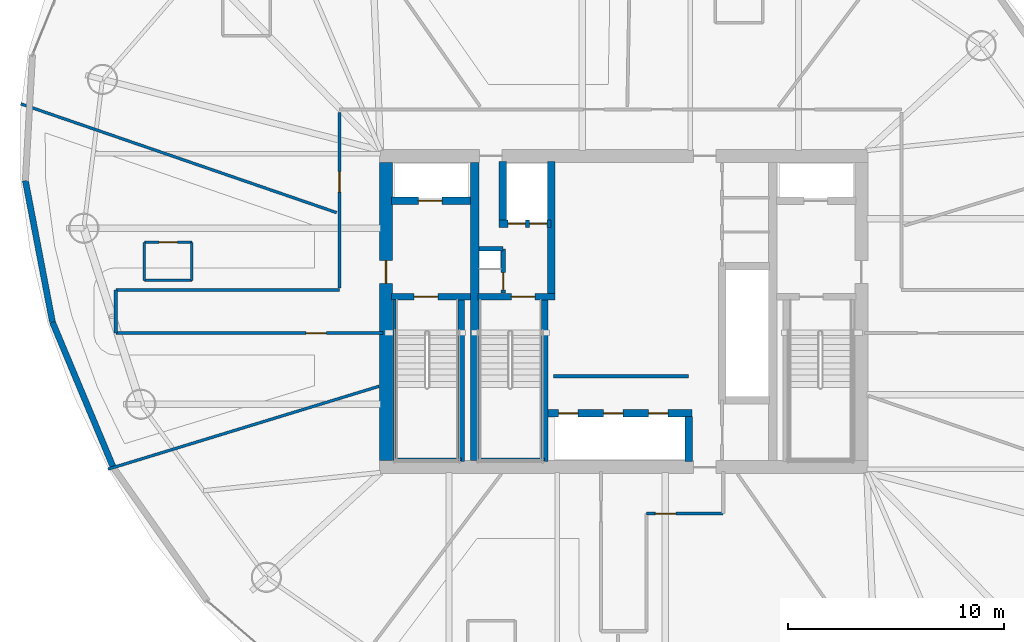
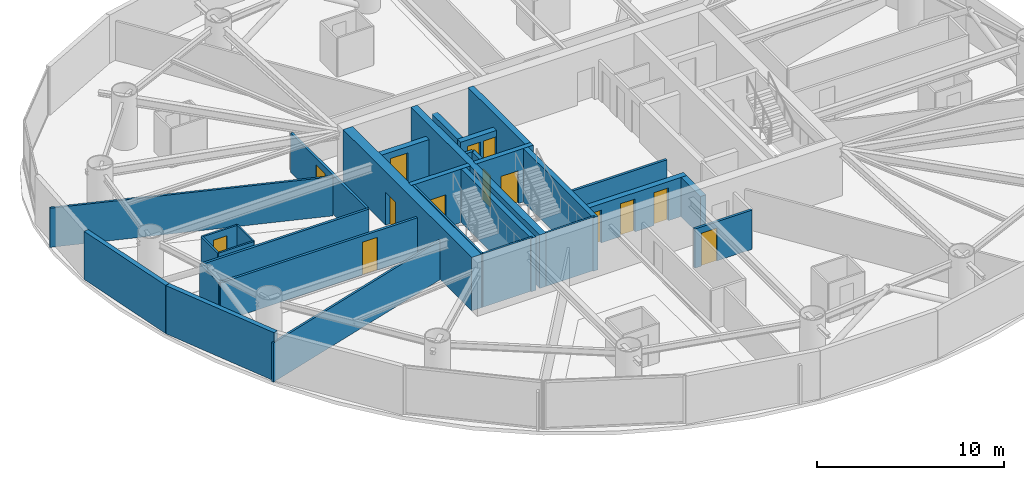
# One storey, part 16 of 21: 31 walls, 14 doors, 14 openings.
"""IFC4 building model written with IfcOpenShell, lengths in metres."""

from ifc_helpers import new_model, si_unit, direction, frame, frame_2d, origin, place, context, subcontext, project, spatial, rectangle, extrude, material, layer, layer_set, type_object, element, fill, save


model = new_model("IFC4")

# Units and contexts
model_context = context("Model", 3, precision=1e-05, world=origin(), true_north=direction((0.0, 1.0)))
body_context = subcontext(model_context, "Body", "Model", "MODEL_VIEW")
ifc_project = project(units=[si_unit("LENGTHUNIT", "METRE"), si_unit("AREAUNIT", "SQUARE_METRE"), si_unit("VOLUMEUNIT", "CUBIC_METRE"), si_unit("PLANEANGLEUNIT", "RADIAN"), si_unit("MASSUNIT", "GRAM", prefix="KILO")], contexts=[model_context])

# Site, building, storey
site_placement = place(None, origin())
site = spatial("IfcSite", under=ifc_project, at=site_placement, CompositionType="ELEMENT")
building_placement = place(site_placement, origin())
building = spatial("IfcBuilding", under=site, at=building_placement, Name="Bramvorn Convention Spire", CompositionType="ELEMENT")
storey_placement = place(building_placement, frame((0.0, 0.0, 162.300048828125)))
storey = spatial("IfcBuildingStorey", under=building, at=storey_placement, Name="L41", CompositionType="ELEMENT", Elevation=162.300048828125)

# Wall, opening, door
ifc_material_1 = material(Name="Concrete C60/70", Category="concrete")
ifc_layer_1 = layer(ifc_material_1, 0.60009765625)
ifc_layer_set_1 = layer_set([ifc_layer_1], Name="Concrete C60/70 - WL-CORE-600")
wall_type_1 = type_object("IfcWallType", Name="WL-CORE-600", PredefinedType="SHEAR", material=ifc_layer_set_1)
wall_1_placement = place(storey_placement, frame((27.0, 19.10009765625, 0.0), z_axis=(0.0, 0.0, 1.0), x_axis=(0.0, 1.0, 0.0)))
wall_1 = element("IfcWall", 1, at=wall_1_placement, inside=storey, type_object=wall_type_1, Name="L41 West RC core shear wall", PredefinedType="SHEAR", context=body_context, shape_type="SweptSolid", body=[
    extrude(rectangle(XDim=13.7998046875, YDim=0.60009765625, at=frame_2d((6.89990234375, 0.0))), origin(), (0.0, 0.0, 1.0), 3.5),
])
opening_1_placement = place(wall_1_placement, frame((8.199951171875, 0.0, 0.0)))
opening_1 = element("IfcOpeningElement", 2, at=opening_1_placement, cuts=wall_1, Name="Opening DL-105", PredefinedType="OPENING", context=body_context, shape_type="SweptSolid", body=[
    extrude(rectangle(XDim=1.050048828125, YDim=2.14990234375, at=frame_2d((0.52490234375, 1.074951171875))), frame((0.0, 0.31005859375, 0.0), z_axis=(0.0, -1.0, 0.0), x_axis=(1.0, 0.0, 0.0)), (0.0, 0.0, 1.0), 0.6201171875),
])
ifc_material_2 = material(Name="Smoke-Sealed Fire Lobby Timber-Core Door", Category="wood")
door_type_1 = type_object("IfcDoorType", Name="DR-LOBBY-1050", OperationType="NOTDEFINED", PredefinedType="DOOR", material=ifc_material_2)
door_1_placement = place(opening_1_placement, origin())
door_1 = element("IfcDoor", 3, at=door_1_placement, inside=storey, type_object=door_type_1, Name="L41 West Firefighting Lobby corridor door", OperationType="SINGLE_SWING_RIGHT", OverallHeight=2.14990234375, OverallWidth=1.050048828125, PredefinedType="DOOR", context=body_context, shape_type="SweptSolid", body=[
    extrude(rectangle(XDim=1.050048828125, YDim=2.14990234375, at=frame_2d((0.52490234375, 1.074951171875))), frame((0.0, 0.02490234375, 0.0), z_axis=(0.0, -1.0, 0.0), x_axis=(1.0, 0.0, 0.0)), (0.0, 0.0, 1.0), 0.050048828125),
])
fill(opening_1, door_1)

ifc_material_3 = material(Name="Concrete C50/60", Category="concrete")
ifc_layer_2 = layer(ifc_material_3, 0.35009765625)
ifc_layer_set_2 = layer_set([ifc_layer_2], Name="Concrete C50/60 - WL-CORE-INT-350")
wall_type_2 = type_object("IfcWallType", Name="WL-CORE-INT-350", PredefinedType="SHEAR", material=ifc_layer_set_2)
wall_2_placement = place(storey_placement, frame((27.25, 31.1201171875, 0.0), z_axis=(0.0, 0.0, 1.0), x_axis=(1.0, 0.0, 0.0)))
wall_2 = element("IfcWall", 4, at=wall_2_placement, inside=storey, type_object=wall_type_2, Name="L41 FE1 shaft front wall", PredefinedType="SHEAR", context=body_context, shape_type="SweptSolid", body=[
    extrude(rectangle(XDim=3.669921875, YDim=0.35009765625, at=frame_2d((1.8349609375, 0.0))), origin(), (0.0, 0.0, 1.0), 2.56494140625),
])
opening_2_placement = place(wall_2_placement, frame((1.25, 0.0, 0.0)))
opening_2 = element("IfcOpeningElement", 5, at=opening_2_placement, cuts=wall_2, Name="Opening LD-110", PredefinedType="OPENING", context=body_context, shape_type="SweptSolid", body=[
    extrude(rectangle(XDim=1.10009765625, YDim=2.14990234375, at=frame_2d((0.550048828125, 1.074951171875))), frame((0.0, 0.18505859375, 0.0), z_axis=(0.0, -1.0, 0.0), x_axis=(1.0, 0.0, 0.0)), (0.0, 0.0, 1.0), 0.3701171875),
])
ifc_material_4 = material(Name="Firefighting & Service Lift Sliding Landing Door", Category="steel")
door_type_2 = type_object("IfcDoorType", Name="DR-LIFT-LD-1100", OperationType="NOTDEFINED", PredefinedType="DOOR", material=ifc_material_4)
door_2_placement = place(opening_2_placement, origin())
door_2 = element("IfcDoor", 6, at=door_2_placement, inside=storey, type_object=door_type_2, Name="L41 Lift FE1 Sliding Landing Door", OperationType="SLIDING_TO_LEFT", OverallHeight=2.14990234375, OverallWidth=1.10009765625, PredefinedType="DOOR", context=body_context, shape_type="SweptSolid", body=[
    extrude(rectangle(XDim=1.10009765625, YDim=2.14990234375, at=frame_2d((0.550048828125, 1.074951171875))), frame((0.0, 0.02490234375, 0.0), z_axis=(0.0, -1.0, 0.0), x_axis=(1.0, 0.0, 0.0)), (0.0, 0.0, 1.0), 0.050048828125),
])
fill(opening_2, door_2)

# Wall
wall_3_placement = place(storey_placement, frame((34.639892578125, 26.68994140625, 0.0), z_axis=(0.0, 0.0, 1.0), x_axis=(0.0, 1.0, 0.0)))
element("IfcWall", 7, at=wall_3_placement, inside=storey, type_object=wall_type_2, Name="L41 SV east core shaft wall", PredefinedType="SHEAR", context=body_context, shape_type="SweptSolid", body=[
    extrude(rectangle(XDim=6.260009765625, YDim=0.35009765625, at=frame_2d((3.1298828125, 0.0))), origin(), (0.0, 0.0, 1.0), 3.5),
])

# Wall, openings, doors
wall_4_placement = place(storey_placement, frame((32.22998046875, 30.050048828125, 0.0), z_axis=(0.0, 0.0, 1.0), x_axis=(1.0, 0.0, 0.0)))
wall_4 = element("IfcWall", 8, at=wall_4_placement, inside=storey, type_object=wall_type_2, Name="L41 SV1/SV2 shaft front wall", PredefinedType="SHEAR", context=body_context, shape_type="SweptSolid", body=[
    extrude(rectangle(XDim=2.409912109375, YDim=0.35009765625, at=frame_2d((1.205078125, 0.0))), origin(), (0.0, 0.0, 1.0), 2.56494140625),
])
opening_3_placement = place(wall_4_placement, frame((0.419921875, 0.0, 0.0)))
opening_3 = element("IfcOpeningElement", 9, at=opening_3_placement, cuts=wall_4, Name="Opening LD-080", PredefinedType="OPENING", context=body_context, shape_type="SweptSolid", body=[
    extrude(rectangle(XDim=0.800048828125, YDim=2.14990234375, at=frame_2d((0.39990234375, 1.074951171875))), frame((0.0, 0.18505859375, 0.0), z_axis=(0.0, -1.0, 0.0), x_axis=(1.0, 0.0, 0.0)), (0.0, 0.0, 1.0), 0.3701171875),
])
opening_4_placement = place(wall_4_placement, frame((1.419921875, 0.0, 0.0)))
opening_4 = element("IfcOpeningElement", 10, at=opening_4_placement, cuts=wall_4, Name="Opening LD-080", PredefinedType="OPENING", context=body_context, shape_type="SweptSolid", body=[
    extrude(rectangle(XDim=0.800048828125, YDim=2.14990234375, at=frame_2d((0.39990234375, 1.074951171875))), frame((0.0, 0.18505859375, 0.0), z_axis=(0.0, -1.0, 0.0), x_axis=(1.0, 0.0, 0.0)), (0.0, 0.0, 1.0), 0.3701171875),
])
ifc_material_5 = material(Name="Service Lift Bi-Parting Landing Door", Category="steel")
door_type_3 = type_object("IfcDoorType", Name="DR-LIFT-LD-800", OperationType="NOTDEFINED", PredefinedType="DOOR", material=ifc_material_5)
door_3_placement = place(opening_3_placement, origin())
door_3 = element("IfcDoor", 11, at=door_3_placement, inside=storey, type_object=door_type_3, Name="L41 Lift SV1 Sliding Landing Door", OperationType="SLIDING_TO_LEFT", OverallHeight=2.14990234375, OverallWidth=0.800048828125, PredefinedType="DOOR", context=body_context, shape_type="SweptSolid", body=[
    extrude(rectangle(XDim=0.800048828125, YDim=2.14990234375, at=frame_2d((0.39990234375, 1.074951171875))), frame((0.0, 0.02490234375, 0.0), z_axis=(0.0, -1.0, 0.0), x_axis=(1.0, 0.0, 0.0)), (0.0, 0.0, 1.0), 0.050048828125),
])
fill(opening_3, door_3)
door_4_placement = place(opening_4_placement, origin())
door_4 = element("IfcDoor", 12, at=door_4_placement, inside=storey, type_object=door_type_3, Name="L41 Lift SV2 Sliding Landing Door", OperationType="SLIDING_TO_LEFT", OverallHeight=2.14990234375, OverallWidth=0.800048828125, PredefinedType="DOOR", context=body_context, shape_type="SweptSolid", body=[
    extrude(rectangle(XDim=0.800048828125, YDim=2.14990234375, at=frame_2d((0.39990234375, 1.074951171875))), frame((0.0, 0.02490234375, 0.0), z_axis=(0.0, -1.0, 0.0), x_axis=(1.0, 0.0, 0.0)), (0.0, 0.0, 1.0), 0.050048828125),
])
fill(opening_4, door_4)

# Wall
wall_5_placement = place(storey_placement, frame((32.39990234375, 30.219970703125, 0.0), z_axis=(0.0, 0.0, 1.0), x_axis=(0.0, 1.0, 0.0)))
element("IfcWall", 13, at=wall_5_placement, inside=storey, type_object=wall_type_2, Name="L41 SV1 west hoistway wall", PredefinedType="SHEAR", context=body_context, shape_type="SweptSolid", body=[
    extrude(rectangle(XDim=2.72998046875, YDim=0.35009765625, at=frame_2d((1.364990234375, 0.0))), origin(), (0.0, 0.0, 1.0), 2.56494140625),
])

# Wall, openings, doors
wall_6_placement = place(storey_placement, frame((34.489990234375, 21.300048828125, 0.0), z_axis=(0.0, 0.0, 1.0), x_axis=(1.0, 0.0, 0.0)))
wall_6 = element("IfcWall", 14, at=wall_6_placement, inside=storey, type_object=wall_type_2, Name="L41 Mid-rise bank north landing wall", PredefinedType="SHEAR", context=body_context, shape_type="SweptSolid", body=[
    extrude(rectangle(XDim=6.679931640625, YDim=0.35009765625, at=frame_2d((3.33984375, 0.0))), origin(), (0.0, 0.0, 1.0), 2.56494140625),
])
opening_5_placement = place(wall_6_placement, frame((0.5, 0.0, 0.0)))
opening_5 = element("IfcOpeningElement", 15, at=opening_5_placement, cuts=wall_6, Name="Opening LD-090", PredefinedType="OPENING", context=body_context, shape_type="SweptSolid", body=[
    extrude(rectangle(XDim=0.89990234375, YDim=2.14990234375, at=frame_2d((0.449951171875, 1.074951171875))), frame((0.0, 0.18505859375, 0.0), z_axis=(0.0, -1.0, 0.0), x_axis=(1.0, 0.0, 0.0)), (0.0, 0.0, 1.0), 0.3701171875),
])
opening_6_placement = place(wall_6_placement, frame((2.580078125, 0.0, 0.0)))
opening_6 = element("IfcOpeningElement", 16, at=opening_6_placement, cuts=wall_6, Name="Opening LD-090", PredefinedType="OPENING", context=body_context, shape_type="SweptSolid", body=[
    extrude(rectangle(XDim=0.89990234375, YDim=2.14990234375, at=frame_2d((0.449951171875, 1.074951171875))), frame((0.0, 0.18505859375, 0.0), z_axis=(0.0, -1.0, 0.0), x_axis=(1.0, 0.0, 0.0)), (0.0, 0.0, 1.0), 0.3701171875),
])
opening_7_placement = place(wall_6_placement, frame((4.659912109375, 0.0, 0.0)))
opening_7 = element("IfcOpeningElement", 17, at=opening_7_placement, cuts=wall_6, Name="Opening LD-090", PredefinedType="OPENING", context=body_context, shape_type="SweptSolid", body=[
    extrude(rectangle(XDim=0.89990234375, YDim=2.14990234375, at=frame_2d((0.449951171875, 1.074951171875))), frame((0.0, 0.18505859375, 0.0), z_axis=(0.0, -1.0, 0.0), x_axis=(1.0, 0.0, 0.0)), (0.0, 0.0, 1.0), 0.3701171875),
])
ifc_material_6 = material(Name="Bi-Parting Fire-Rated Lift Landing Door", Category="steel")
door_type_4 = type_object("IfcDoorType", Name="DR-LIFT-LD-900", OperationType="NOTDEFINED", PredefinedType="DOOR", material=ifc_material_6)
door_5_placement = place(opening_5_placement, origin())
door_5 = element("IfcDoor", 18, at=door_5_placement, inside=storey, type_object=door_type_4, Name="L41 Lift PM1 Sliding Landing Door", OperationType="SLIDING_TO_LEFT", OverallHeight=2.14990234375, OverallWidth=0.89990234375, PredefinedType="DOOR", context=body_context, shape_type="SweptSolid", body=[
    extrude(rectangle(XDim=0.89990234375, YDim=2.14990234375, at=frame_2d((0.449951171875, 1.074951171875))), frame((0.0, 0.02490234375, 0.0), z_axis=(0.0, -1.0, 0.0), x_axis=(1.0, 0.0, 0.0)), (0.0, 0.0, 1.0), 0.050048828125),
])
fill(opening_5, door_5)
door_6_placement = place(opening_6_placement, origin())
door_6 = element("IfcDoor", 19, at=door_6_placement, inside=storey, type_object=door_type_4, Name="L41 Lift PM2 Sliding Landing Door", OperationType="SLIDING_TO_LEFT", OverallHeight=2.14990234375, OverallWidth=0.89990234375, PredefinedType="DOOR", context=body_context, shape_type="SweptSolid", body=[
    extrude(rectangle(XDim=0.89990234375, YDim=2.14990234375, at=frame_2d((0.449951171875, 1.074951171875))), frame((0.0, 0.02490234375, 0.0), z_axis=(0.0, -1.0, 0.0), x_axis=(1.0, 0.0, 0.0)), (0.0, 0.0, 1.0), 0.050048828125),
])
fill(opening_6, door_6)
door_7_placement = place(opening_7_placement, origin())
door_7 = element("IfcDoor", 20, at=door_7_placement, inside=storey, type_object=door_type_4, Name="L41 Lift PM3 Sliding Landing Door", OperationType="SLIDING_TO_LEFT", OverallHeight=2.14990234375, OverallWidth=0.89990234375, PredefinedType="DOOR", context=body_context, shape_type="SweptSolid", body=[
    extrude(rectangle(XDim=0.89990234375, YDim=2.14990234375, at=frame_2d((0.449951171875, 1.074951171875))), frame((0.0, 0.02490234375, 0.0), z_axis=(0.0, -1.0, 0.0), x_axis=(1.0, 0.0, 0.0)), (0.0, 0.0, 1.0), 0.050048828125),
])
fill(opening_7, door_7)

# Walls
wall_7_placement = place(storey_placement, frame((41.0, 19.050048828125, 0.0), z_axis=(0.0, 0.0, 1.0), x_axis=(0.0, 1.0, 0.0)))
element("IfcWall", 21, at=wall_7_placement, inside=storey, type_object=wall_type_2, Name="L41 Mid-rise bank east cheek wall", PredefinedType="SHEAR", context=body_context, shape_type="SweptSolid", body=[
    extrude(rectangle(XDim=2.079833984375, YDim=0.35009765625, at=frame_2d((1.0400390625, 0.0))), origin(), (0.0, 0.0, 1.0), 2.56494140625),
])
ifc_layer_3 = layer(ifc_material_1, 0.39990234375)
ifc_layer_set_3 = layer_set([ifc_layer_3], Name="Concrete C60/70 - WL-CORE-INT-400")
wall_type_3 = type_object("IfcWallType", Name="WL-CORE-INT-400", PredefinedType="SHEAR", material=ifc_layer_set_3)
wall_8_placement = place(storey_placement, frame((31.10009765625, 19.10009765625, 0.0), z_axis=(0.0, 0.0, 1.0), x_axis=(0.0, 1.0, 0.0)))
element("IfcWall", 22, at=wall_8_placement, inside=storey, type_object=wall_type_3, Name="L41 West internal core shear web", PredefinedType="SHEAR", context=body_context, shape_type="SweptSolid", body=[
    extrude(rectangle(XDim=13.7998046875, YDim=0.39990234375, at=frame_2d((6.89990234375, 0.0))), origin(), (0.0, 0.0, 1.0), 3.5),
])
ifc_material_7 = material(Name="Precast Concrete C40/50 with Bronze Terracotta Rainscreen", Category="masonry")
ifc_layer_4 = layer(ifc_material_7, 0.300048828125)
ifc_layer_set_4 = layer_set([ifc_layer_4], Name="Precast Concrete C40/50 with Bronze Terracotta Rainscreen - WL-EXT-BRONZE-300")
wall_type_4 = type_object("IfcWallType", Name="WL-EXT-BRONZE-300", PredefinedType="SOLIDWALL", material=ifc_layer_set_4)
wall_9_placement = place(storey_placement, frame((11.568359375, 25.505615234375, 0.0), z_axis=(0.0, 0.0, 1.0), x_axis=(-0.188022651866, 0.982164692088, 0.0)))
element("IfcWall", 23, at=wall_9_placement, inside=storey, type_object=wall_type_4, Name="L41 expressed bronze Gothic lancet pier wall 15", PredefinedType="SOLIDWALL", context=body_context, shape_type="SweptSolid", body=[
    extrude(rectangle(XDim=6.6650390625, YDim=0.280029296875, at=frame_2d((3.33251953125, 0.0))), origin(), (0.0, 0.0, 1.0), 3.14990234375),
])
wall_10_placement = place(storey_placement, frame((14.385009765625, 18.77978515625, 0.0), z_axis=(0.0, 0.0, 1.0), x_axis=(-0.3862765553, 0.922383013084, 0.0)))
element("IfcWall", 24, at=wall_10_placement, inside=storey, type_object=wall_type_4, Name="L41 expressed bronze Gothic lancet pier wall 16", PredefinedType="SOLIDWALL", context=body_context, shape_type="SweptSolid", body=[
    extrude(rectangle(XDim=7.291748046875, YDim=0.280029296875, at=frame_2d((3.64599609375, 0.0))), origin(), (0.0, 0.0, 1.0), 3.14990234375),
])
ifc_material_8 = material(Name="Lightweight En-Suite & Wet-Wall Partition", Category="gypsum")
ifc_layer_5 = layer(ifc_material_8, 0.110107421875)
ifc_layer_set_5 = layer_set([ifc_layer_5], Name="Lightweight En-Suite & Wet-Wall Partition - WL-PART-110")
wall_type_5 = type_object("IfcWallType", Name="WL-PART-110", PredefinedType="PARTITIONING", material=ifc_layer_set_5)
wall_11_placement = place(storey_placement, frame((15.8203125, 27.43896484375, 0.0), z_axis=(0.0, 0.0, 1.0), x_axis=(1.0, 0.0, 0.0)))
element("IfcWall", 25, at=wall_11_placement, inside=storey, type_object=wall_type_5, Name="Hotel Suite 4105 en-suite south wall", PredefinedType="PARTITIONING", context=body_context, shape_type="SweptSolid", body=[
    extrude(rectangle(XDim=2.199951171875, YDim=0.110107421875, at=frame_2d((1.10009765625, 0.0))), origin(), (0.0, 0.0, 1.0), 2.56494140625),
])

# Wall, opening, door
wall_12_placement = place(storey_placement, frame((15.8203125, 29.198974609375, 0.0), z_axis=(0.0, 0.0, 1.0), x_axis=(1.0, 0.0, 0.0)))
wall_12 = element("IfcWall", 26, at=wall_12_placement, inside=storey, type_object=wall_type_5, Name="Hotel Suite 4105 en-suite north wall", PredefinedType="PARTITIONING", context=body_context, shape_type="SweptSolid", body=[
    extrude(rectangle(XDim=2.199951171875, YDim=0.110107421875, at=frame_2d((1.10009765625, 0.0))), origin(), (0.0, 0.0, 1.0), 2.56494140625),
])
opening_8_placement = place(wall_12_placement, frame((0.679931640625, 0.0, 0.0)))
opening_8 = element("IfcOpeningElement", 27, at=opening_8_placement, cuts=wall_12, Name="Opening DI-085", PredefinedType="OPENING", context=body_context, shape_type="SweptSolid", body=[
    extrude(rectangle(XDim=0.85009765625, YDim=2.10009765625, at=frame_2d((0.425048828125, 1.050048828125))), frame((0.0, 0.06494140625, 0.0), z_axis=(0.0, -1.0, 0.0), x_axis=(1.0, 0.0, 0.0)), (0.0, 0.0, 1.0), 0.130126953125),
])
ifc_material_9 = material(Name="En-Suite & Restroom Privacy Door", Category="wood")
door_type_5 = type_object("IfcDoorType", Name="DR-INT-850", OperationType="NOTDEFINED", PredefinedType="DOOR", material=ifc_material_9)
door_8_placement = place(opening_8_placement, origin())
door_8 = element("IfcDoor", 28, at=door_8_placement, inside=storey, type_object=door_type_5, Name="Hotel Suite 4105 En-Suite Bathroom door", OperationType="SINGLE_SWING_LEFT", OverallHeight=2.10009765625, OverallWidth=0.85009765625, PredefinedType="DOOR", context=body_context, shape_type="SweptSolid", body=[
    extrude(rectangle(XDim=0.85009765625, YDim=2.10009765625, at=frame_2d((0.425048828125, 1.050048828125))), frame((0.0, 0.02490234375, 0.0), z_axis=(0.0, -1.0, 0.0), x_axis=(1.0, 0.0, 0.0)), (0.0, 0.0, 1.0), 0.050048828125),
])
fill(opening_8, door_8)

# Walls
for number, where, z_axis, x_axis, name in (
    (29, (15.8203125, 27.43896484375, 0.0), (0.0, 0.0, 1.0), (0.0, 1.0, 0.0), "Hotel Suite 4105 en-suite west wall"),
    (30, (18.020263671875, 27.43896484375, 0.0), (0.0, 0.0, 1.0), (0.0, 1.0, 0.0), "Hotel Suite 4105 en-suite east wall"),
):
    element("IfcWall", number, at=place(storey_placement, frame(where, z_axis=z_axis, x_axis=x_axis)), inside=storey, type_object=wall_type_5, Name=name, PredefinedType="PARTITIONING", context=body_context, shape_type="SweptSolid", body=[
        extrude(rectangle(XDim=1.760009765625, YDim=0.110107421875, at=frame_2d((0.8798828125, 0.0))), origin(), (0.0, 0.0, 1.0), 2.56494140625),
    ])
ifc_material_10 = material(Name="Metal-Stud Demountable Office Partition", Category="gypsum")
ifc_layer_6 = layer(ifc_material_10, 0.1298828125)
ifc_layer_set_6 = layer_set([ifc_layer_6], Name="Metal-Stud Demountable Office Partition - WL-PART-130")
wall_type_6 = type_object("IfcWallType", Name="WL-PART-130", PredefinedType="PARTITIONING", material=ifc_layer_set_6)
wall_13_placement = place(storey_placement, frame((24.7099609375, 30.576171875, 0.0), z_axis=(0.0, 0.0, 1.0), x_axis=(-0.945518452422, 0.32556851219, 0.0)))
element("IfcWall", 31, at=wall_13_placement, inside=storey, type_object=wall_type_6, Name="L41 Guestroom demising wall 5", PredefinedType="PARTITIONING", context=body_context, shape_type="SweptSolid", body=[
    extrude(rectangle(XDim=15.452880859375, YDim=0.1298828125, at=frame_2d((7.7265625, 0.0))), origin(), (0.0, 0.0, 1.0), 2.56494140625),
])
wall_14_placement = place(storey_placement, frame((26.679931640625, 22.5390625, 0.0), z_axis=(0.0, 0.0, 1.0), x_axis=(-0.95630705824, -0.292364174208, 0.0)))
element("IfcWall", 32, at=wall_14_placement, inside=storey, type_object=wall_type_6, Name="L41 Guestroom demising wall 6", PredefinedType="PARTITIONING", context=body_context, shape_type="SweptSolid", body=[
    extrude(rectangle(XDim=13.1171875, YDim=0.1298828125, at=frame_2d((6.55859375, 0.0))), origin(), (0.0, 0.0, 1.0), 2.56494140625),
])
ifc_material_11 = material(Name="Acoustic Metal-Stud Tenant/Corridor Partition", Category="gypsum")
ifc_layer_7 = layer(ifc_material_11, 0.14990234375)
ifc_layer_set_7 = layer_set([ifc_layer_7], Name="Acoustic Metal-Stud Tenant/Corridor Partition - WL-PART-150")
wall_type_7 = type_object("IfcWallType", Name="WL-PART-150", PredefinedType="PARTITIONING", material=ifc_layer_set_7)
wall_15_placement = place(storey_placement, frame((34.75, 23.0, 0.0), z_axis=(0.0, 0.0, 1.0), x_axis=(1.0, 0.0, 0.0)))
element("IfcWall", 33, at=wall_15_placement, inside=storey, type_object=wall_type_7, Name="L41 Mid-rise lift vestibule north wall", PredefinedType="PARTITIONING", context=body_context, shape_type="SweptSolid", body=[
    extrude(rectangle(XDim=6.25, YDim=0.14990234375, at=frame_2d((3.125, 0.0))), origin(), (0.0, 0.0, 1.0), 2.56494140625),
])

# Wall, opening, door
wall_16_placement = place(storey_placement, frame((24.85009765625, 27.080078125, 0.0), z_axis=(0.0, 0.0, 1.0), x_axis=(0.0, 1.0, 0.0)))
wall_16 = element("IfcWall", 34, at=wall_16_placement, inside=storey, type_object=wall_type_7, Name="L41 NW gallery cheek", PredefinedType="PARTITIONING", context=body_context, shape_type="SweptSolid", body=[
    extrude(rectangle(XDim=8.119873046875, YDim=0.14990234375, at=frame_2d((4.06005859375, 0.0))), origin(), (0.0, 0.0, 1.0), 2.56494140625),
])
opening_9_placement = place(wall_16_placement, frame((4.4423828125, 0.0, 0.0)))
opening_9 = element("IfcOpeningElement", 35, at=opening_9_placement, cuts=wall_16, Name="Opening DH-095", PredefinedType="OPENING", context=body_context, shape_type="SweptSolid", body=[
    extrude(rectangle(XDim=0.949951171875, YDim=2.14990234375, at=frame_2d((0.47509765625, 1.074951171875))), frame((0.0, 0.0849609375, 0.0), z_axis=(0.0, -1.0, 0.0), x_axis=(1.0, 0.0, 0.0)), (0.0, 0.0, 1.0), 0.169921875),
])
ifc_material_12 = material(Name="Solid-Core Acoustic Guestroom Entry Door", Category="wood")
door_type_6 = type_object("IfcDoorType", Name="DR-HOTEL-950", OperationType="NOTDEFINED", PredefinedType="DOOR", material=ifc_material_12)
door_9_placement = place(opening_9_placement, origin())
door_9 = element("IfcDoor", 36, at=door_9_placement, inside=storey, type_object=door_type_6, Name="Hotel Suite 4104 entry door", OperationType="SINGLE_SWING_LEFT", OverallHeight=2.14990234375, OverallWidth=0.949951171875, PredefinedType="DOOR", context=body_context, shape_type="SweptSolid", body=[
    extrude(rectangle(XDim=0.949951171875, YDim=2.14990234375, at=frame_2d((0.47509765625, 1.074951171875))), frame((0.0, 0.02490234375, 0.0), z_axis=(0.0, -1.0, 0.0), x_axis=(1.0, 0.0, 0.0)), (0.0, 0.0, 1.0), 0.050048828125),
])
fill(opening_9, door_9)

# Wall
wall_17_placement = place(storey_placement, frame((14.5, 27.0, 0.0), z_axis=(0.0, 0.0, 1.0), x_axis=(1.0, 0.0, 0.0)))
element("IfcWall", 37, at=wall_17_placement, inside=storey, type_object=wall_type_7, Name="L41 West wing spine north wall", PredefinedType="PARTITIONING", context=body_context, shape_type="SweptSolid", body=[
    extrude(rectangle(XDim=10.35009765625, YDim=0.14990234375, at=frame_2d((5.175048828125, 0.0))), origin(), (0.0, 0.0, 1.0), 2.56494140625),
])

# Wall, opening, door
wall_18_placement = place(storey_placement, frame((14.5, 25.0, 0.0), z_axis=(0.0, 0.0, 1.0), x_axis=(1.0, 0.0, 0.0)))
wall_18 = element("IfcWall", 38, at=wall_18_placement, inside=storey, type_object=wall_type_7, Name="L41 West wing spine south wall", PredefinedType="PARTITIONING", context=body_context, shape_type="SweptSolid", body=[
    extrude(rectangle(XDim=12.35009765625, YDim=0.14990234375, at=frame_2d((6.175048828125, 0.0))), origin(), (0.0, 0.0, 1.0), 2.56494140625),
])
opening_10_placement = place(wall_18_placement, frame((8.78759765625, 0.0, 0.0)))
opening_10 = element("IfcOpeningElement", 39, at=opening_10_placement, cuts=wall_18, Name="Opening DH-095", PredefinedType="OPENING", context=body_context, shape_type="SweptSolid", body=[
    extrude(rectangle(XDim=0.949951171875, YDim=2.14990234375, at=frame_2d((0.47509765625, 1.074951171875))), frame((0.0, 0.0849609375, 0.0), z_axis=(0.0, -1.0, 0.0), x_axis=(1.0, 0.0, 0.0)), (0.0, 0.0, 1.0), 0.169921875),
])
door_10_placement = place(opening_10_placement, origin())
door_10 = element("IfcDoor", 40, at=door_10_placement, inside=storey, type_object=door_type_6, Name="Hotel Suite 4105 entry door", OperationType="SINGLE_SWING_LEFT", OverallHeight=2.14990234375, OverallWidth=0.949951171875, PredefinedType="DOOR", context=body_context, shape_type="SweptSolid", body=[
    extrude(rectangle(XDim=0.949951171875, YDim=2.14990234375, at=frame_2d((0.47509765625, 1.074951171875))), frame((0.0, 0.02490234375, 0.0), z_axis=(0.0, -1.0, 0.0), x_axis=(1.0, 0.0, 0.0)), (0.0, 0.0, 1.0), 0.050048828125),
])
fill(opening_10, door_10)

# Wall
wall_19_placement = place(storey_placement, frame((14.5, 25.0, 0.0), z_axis=(0.0, 0.0, 1.0), x_axis=(0.0, 1.0, 0.0)))
element("IfcWall", 41, at=wall_19_placement, inside=storey, type_object=wall_type_7, Name="L41 West wing spine end wall", PredefinedType="PARTITIONING", context=body_context, shape_type="SweptSolid", body=[
    extrude(rectangle(XDim=2.0, YDim=0.14990234375, at=frame_2d((1.0, 0.0))), origin(), (0.0, 0.0, 1.0), 2.56494140625),
])

# Wall, opening, door
wall_20_placement = place(storey_placement, frame((39.050048828125, 16.64990234375, 0.0), z_axis=(0.0, 0.0, 1.0), x_axis=(1.0, 0.0, 0.0)))
wall_20 = element("IfcWall", 42, at=wall_20_placement, inside=storey, type_object=wall_type_7, Name="L41 South lift lobby link wall", PredefinedType="PARTITIONING", context=body_context, shape_type="SweptSolid", body=[
    extrude(rectangle(XDim=3.550048828125, YDim=0.14990234375, at=frame_2d((1.77490234375, 0.0))), origin(), (0.0, 0.0, 1.0), 2.56494140625),
])
opening_11_placement = place(wall_20_placement, frame((0.41259765625, 0.0, 0.0)))
opening_11 = element("IfcOpeningElement", 43, at=opening_11_placement, cuts=wall_20, Name="Opening DH-095", PredefinedType="OPENING", context=body_context, shape_type="SweptSolid", body=[
    extrude(rectangle(XDim=0.949951171875, YDim=2.14990234375, at=frame_2d((0.47509765625, 1.074951171875))), frame((0.0, 0.0849609375, 0.0), z_axis=(0.0, -1.0, 0.0), x_axis=(1.0, 0.0, 0.0)), (0.0, 0.0, 1.0), 0.169921875),
])
door_11_placement = place(opening_11_placement, origin())
door_11 = element("IfcDoor", 44, at=door_11_placement, inside=storey, type_object=door_type_6, Name="Hotel Suite 4108 entry door", OperationType="SINGLE_SWING_LEFT", OverallHeight=2.14990234375, OverallWidth=0.949951171875, PredefinedType="DOOR", context=body_context, shape_type="SweptSolid", body=[
    extrude(rectangle(XDim=0.949951171875, YDim=2.14990234375, at=frame_2d((0.47509765625, 1.074951171875))), frame((0.0, 0.02490234375, 0.0), z_axis=(0.0, -1.0, 0.0), x_axis=(1.0, 0.0, 0.0)), (0.0, 0.0, 1.0), 0.050048828125),
])
fill(opening_11, door_11)

ifc_material_13 = material(Name="Gypsum Shaftwall & Rockwool Core Partition", Category="gypsum")
ifc_layer_8 = layer(ifc_material_13, 0.199951171875)
ifc_layer_set_8 = layer_set([ifc_layer_8], Name="Gypsum Shaftwall & Rockwool Core Partition - WL-PART-200-FR")
wall_type_8 = type_object("IfcWallType", Name="WL-PART-200-FR", PredefinedType="PARTITIONING", material=ifc_layer_set_8)
wall_21_placement = place(storey_placement, frame((32.419921875, 26.860107421875, 0.0), z_axis=(0.0, 0.0, 1.0), x_axis=(0.0, 1.0, 0.0)))
wall_21 = element("IfcWall", 45, at=wall_21_placement, inside=storey, type_object=wall_type_8, Name="L41 Telecom riser east wall", PredefinedType="PARTITIONING", context=body_context, shape_type="SweptSolid", body=[
    extrude(rectangle(XDim=2.039794921875, YDim=0.199951171875, at=frame_2d((1.02001953125, 0.0))), origin(), (0.0, 0.0, 1.0), 2.56494140625),
])
opening_12_placement = place(wall_21_placement, frame((0.139892578125, 0.0, 0.0)))
opening_12 = element("IfcOpeningElement", 46, at=opening_12_placement, cuts=wall_21, Name="Opening DR-080", PredefinedType="OPENING", context=body_context, shape_type="SweptSolid", body=[
    extrude(rectangle(XDim=0.800048828125, YDim=2.050048828125, at=frame_2d((0.39990234375, 1.02490234375))), frame((0.0, 0.10986328125, 0.0), z_axis=(0.0, -1.0, 0.0), x_axis=(1.0, 0.0, 0.0)), (0.0, 0.0, 1.0), 0.219970703125),
])
ifc_material_14 = material(Name="Flush Steel Riser Access Door", Category="steel")
door_type_7 = type_object("IfcDoorType", Name="DR-RISER-800", OperationType="NOTDEFINED", PredefinedType="DOOR", material=ifc_material_14)
door_12_placement = place(opening_12_placement, origin())
door_12 = element("IfcDoor", 47, at=door_12_placement, inside=storey, type_object=door_type_7, Name="L41 Telecom riser access door", OperationType="SINGLE_SWING_RIGHT", OverallHeight=2.050048828125, OverallWidth=0.800048828125, PredefinedType="DOOR", context=body_context, shape_type="SweptSolid", body=[
    extrude(rectangle(XDim=0.800048828125, YDim=2.050048828125, at=frame_2d((0.39990234375, 1.02490234375))), frame((0.0, 0.02490234375, 0.0), z_axis=(0.0, -1.0, 0.0), x_axis=(1.0, 0.0, 0.0)), (0.0, 0.0, 1.0), 0.050048828125),
])
fill(opening_12, door_12)

# Wall
wall_22_placement = place(storey_placement, frame((31.300048828125, 28.89990234375, 0.0), z_axis=(0.0, 0.0, 1.0), x_axis=(1.0, 0.0, 0.0)))
element("IfcWall", 48, at=wall_22_placement, inside=storey, type_object=wall_type_8, Name="L41 Telecom riser north wall", PredefinedType="PARTITIONING", context=body_context, shape_type="SweptSolid", body=[
    extrude(rectangle(XDim=1.119873046875, YDim=0.199951171875, at=frame_2d((0.56005859375, 0.0))), origin(), (0.0, 0.0, 1.0), 2.56494140625),
])

# Wall, opening, door
ifc_layer_9 = layer(ifc_material_3, 0.300048828125)
ifc_layer_set_9 = layer_set([ifc_layer_9], Name="Concrete C50/60 - WL-POD-STAIR-300")
wall_type_9 = type_object("IfcWallType", Name="WL-POD-STAIR-300", PredefinedType="SHEAR", material=ifc_layer_set_9)
wall_23_placement = place(storey_placement, frame((27.25, 26.68994140625, 0.0), z_axis=(0.0, 0.0, 1.0), x_axis=(1.0, 0.0, 0.0)))
wall_23 = element("IfcWall", 49, at=wall_23_placement, inside=storey, type_object=wall_type_9, Name="L41 ST1 north fire wall", PredefinedType="SHEAR", context=body_context, shape_type="SweptSolid", body=[
    extrude(rectangle(XDim=3.669921875, YDim=0.300048828125, at=frame_2d((1.8349609375, 0.0))), origin(), (0.0, 0.0, 1.0), 3.5),
])
opening_13_placement = place(wall_23_placement, frame((1.050048828125, 0.0, 0.0)))
opening_13 = element("IfcOpeningElement", 50, at=opening_13_placement, cuts=wall_23, Name="Opening DS-110", PredefinedType="OPENING", context=body_context, shape_type="SweptSolid", body=[
    extrude(rectangle(XDim=1.10009765625, YDim=2.14990234375, at=frame_2d((0.550048828125, 1.074951171875))), frame((0.0, 0.159912109375, 0.0), z_axis=(0.0, -1.0, 0.0), x_axis=(1.0, 0.0, 0.0)), (0.0, 0.0, 1.0), 0.320068359375),
])
ifc_material_15 = material(Name="Fire-Rated Hollow Steel Stairwell Door", Category="steel")
door_type_8 = type_object("IfcDoorType", Name="DR-STAIR-1100", OperationType="NOTDEFINED", PredefinedType="DOOR", material=ifc_material_15)
door_13_placement = place(opening_13_placement, origin())
door_13 = element("IfcDoor", 51, at=door_13_placement, inside=storey, type_object=door_type_8, Name="L41 Stair ST1 fire door", OperationType="SINGLE_SWING_LEFT", OverallHeight=2.14990234375, OverallWidth=1.10009765625, PredefinedType="DOOR", context=body_context, shape_type="SweptSolid", body=[
    extrude(rectangle(XDim=1.10009765625, YDim=2.14990234375, at=frame_2d((0.550048828125, 1.074951171875))), frame((0.0, 0.02490234375, 0.0), z_axis=(0.0, -1.0, 0.0), x_axis=(1.0, 0.0, 0.0)), (0.0, 0.0, 1.0), 0.050048828125),
])
fill(opening_13, door_13)

# Walls
for number, where, z_axis, x_axis, name in (
    (52, (30.489990234375, 19.050048828125, 0.0), (0.0, 0.0, 1.0), (0.0, 1.0, 0.0), "L41 ST1 east bearing wall"),
    (53, (34.340087890625, 19.050048828125, 0.0), (0.0, 0.0, 1.0), (0.0, 1.0, 0.0), "L41 ST3 east bearing wall"),
):
    element("IfcWall", number, at=place(storey_placement, frame(where, z_axis=z_axis, x_axis=x_axis)), inside=storey, type_object=wall_type_9, Name=name, PredefinedType="SHEAR", context=body_context, shape_type="SweptSolid", body=[
        extrude(rectangle(XDim=7.5, YDim=0.300048828125, at=frame_2d((3.75, 0.0))), origin(), (0.0, 0.0, 1.0), 3.5),
    ])

# Wall, opening, door
wall_24_placement = place(storey_placement, frame((31.25, 26.68994140625, 0.0), z_axis=(0.0, 0.0, 1.0), x_axis=(1.0, 0.0, 0.0)))
wall_24 = element("IfcWall", 54, at=wall_24_placement, inside=storey, type_object=wall_type_9, Name="L41 ST3 north lobby wall", PredefinedType="SHEAR", context=body_context, shape_type="SweptSolid", body=[
    extrude(rectangle(XDim=3.56005859375, YDim=0.300048828125, at=frame_2d((1.780029296875, 0.0))), origin(), (0.0, 0.0, 1.0), 3.5),
])
opening_14_placement = place(wall_24_placement, frame((1.550048828125, 0.0, 0.0)))
opening_14 = element("IfcOpeningElement", 55, at=opening_14_placement, cuts=wall_24, Name="Opening DS-110", PredefinedType="OPENING", context=body_context, shape_type="SweptSolid", body=[
    extrude(rectangle(XDim=1.10009765625, YDim=2.14990234375, at=frame_2d((0.550048828125, 1.074951171875))), frame((0.0, 0.159912109375, 0.0), z_axis=(0.0, -1.0, 0.0), x_axis=(1.0, 0.0, 0.0)), (0.0, 0.0, 1.0), 0.320068359375),
])
door_14_placement = place(opening_14_placement, origin())
door_14 = element("IfcDoor", 56, at=door_14_placement, inside=storey, type_object=door_type_8, Name="L41 Stair ST3 fire door", OperationType="SINGLE_SWING_LEFT", OverallHeight=2.14990234375, OverallWidth=1.10009765625, PredefinedType="DOOR", context=body_context, shape_type="SweptSolid", body=[
    extrude(rectangle(XDim=1.10009765625, YDim=2.14990234375, at=frame_2d((0.550048828125, 1.074951171875))), frame((0.0, 0.02490234375, 0.0), z_axis=(0.0, -1.0, 0.0), x_axis=(1.0, 0.0, 0.0)), (0.0, 0.0, 1.0), 0.050048828125),
])
fill(opening_14, door_14)

# Walls
ifc_layer_10 = layer(ifc_material_3, 0.1201171875)
ifc_layer_set_10 = layer_set([ifc_layer_10], Name="Concrete C50/60 - WL-STAIR-RC-120")
wall_type_10 = type_object("IfcWallType", Name="WL-STAIR-RC-120", PredefinedType="SHEAR", material=ifc_layer_set_10)
wall_25_placement = place(storey_placement, frame((27.39501953125, 19.10009765625, 0.0), z_axis=(0.0, 0.0, 1.0), x_axis=(0.0, 1.0, 0.0)))
element("IfcWall", 57, at=wall_25_placement, inside=storey, type_object=wall_type_10, Name="L41 ST1 west bearing shear wall", PredefinedType="SHEAR", context=body_context, shape_type="SweptSolid", body=[
    extrude(rectangle(XDim=7.449951171875, YDim=0.1201171875, at=frame_2d((3.72509765625, 0.0))), origin(), (0.0, 0.0, 1.0), 3.5),
])
wall_26_placement = place(storey_placement, frame((27.39501953125, 19.159912109375, 0.0), z_axis=(0.0, 0.0, 1.0), x_axis=(1.0, 0.0, 0.0)))
element("IfcWall", 58, at=wall_26_placement, inside=storey, type_object=wall_type_10, Name="L41 ST1 south bearing shear wall", PredefinedType="SHEAR", context=body_context, shape_type="SweptSolid", body=[
    extrude(rectangle(XDim=3.094970703125, YDim=0.1201171875, at=frame_2d((1.54736328125, 0.0))), origin(), (0.0, 0.0, 1.0), 3.5),
])
wall_27_placement = place(storey_placement, frame((31.300048828125, 19.159912109375, 0.0), z_axis=(0.0, 0.0, 1.0), x_axis=(1.0, 0.0, 0.0)))
element("IfcWall", 59, at=wall_27_placement, inside=storey, type_object=wall_type_10, Name="L41 ST3 south bearing shear wall", PredefinedType="SHEAR", context=body_context, shape_type="SweptSolid", body=[
    extrude(rectangle(XDim=3.0400390625, YDim=0.1201171875, at=frame_2d((1.52001953125, 0.0))), origin(), (0.0, 0.0, 1.0), 3.5),
])

save(model, "model.ifc")
